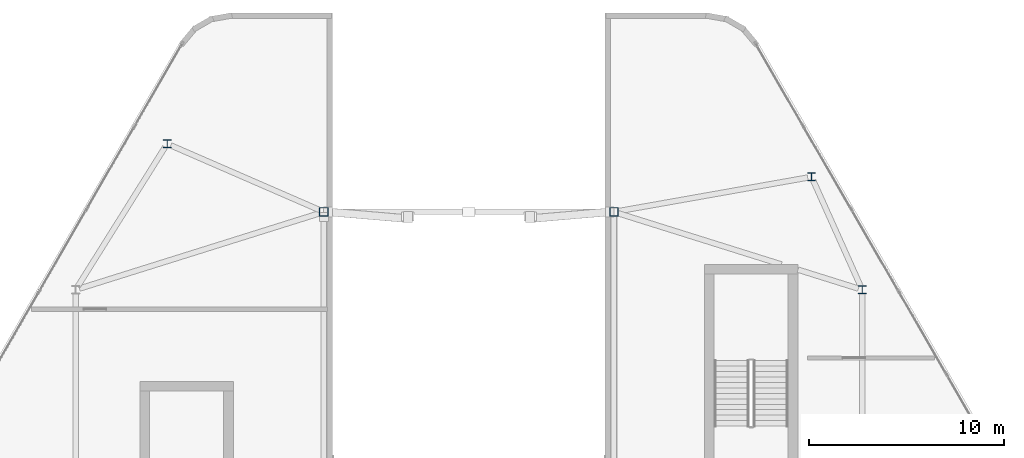
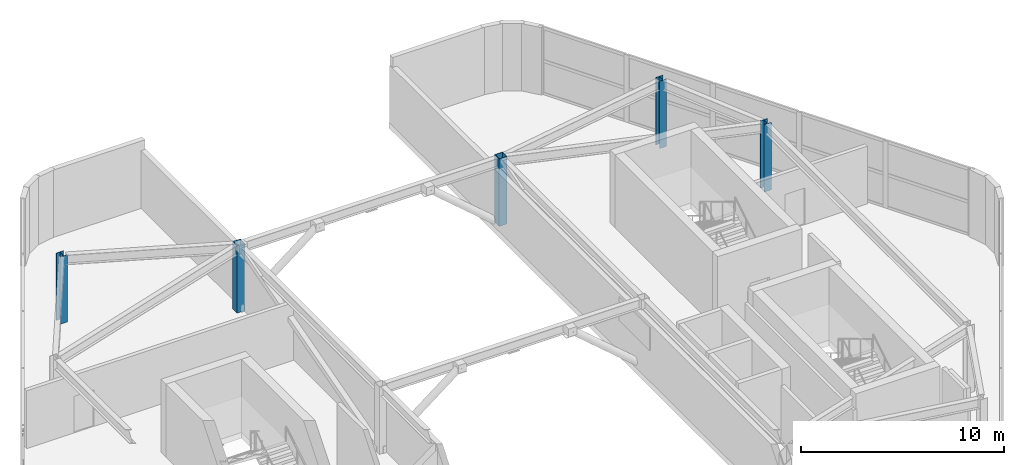
# One storey, part 2 of 16: 5 columns.
"""IFC4 building model written with IfcOpenShell, lengths in metres."""

from ifc_helpers import new_model, si_unit, direction, frame, origin, origin_2d, place, context, subcontext, project, spatial, hollow_rectangle, i_section, extrude, material, material_profile, profile_set, type_object, element, save


model = new_model("IFC4")

# Units and contexts
model_context = context("Model", 3, precision=1e-05, world=origin(), true_north=direction((0.0, 1.0)))
body_context = subcontext(model_context, "Body", "Model", "MODEL_VIEW")
ifc_project = project(units=[si_unit("LENGTHUNIT", "METRE"), si_unit("AREAUNIT", "SQUARE_METRE"), si_unit("VOLUMEUNIT", "CUBIC_METRE"), si_unit("PLANEANGLEUNIT", "RADIAN"), si_unit("MASSUNIT", "GRAM", prefix="KILO")], contexts=[model_context])

# Site, building, storey
site_placement = place(None, origin())
site = spatial("IfcSite", under=ifc_project, at=site_placement, CompositionType="ELEMENT")
building_placement = place(site_placement, origin())
building = spatial("IfcBuilding", under=site, at=building_placement, Name="Zuhravey Tower", CompositionType="ELEMENT")
storey_placement = place(building_placement, frame((0.0, 0.0, 370.199951171875)))
storey = spatial("IfcBuildingStorey", under=building, at=storey_placement, Name="L94", CompositionType="ELEMENT", Elevation=370.199951171875)

# Columns
ifc_material = material(Name="Steel SM355", Category="steel")
ifc_material_profile_1 = material_profile(ifc_material, i_section(OverallWidth=0.39990234375, OverallDepth=0.39990234375, WebThickness=0.012939453125, FlangeThickness=0.02099609375, at=origin_2d()), Name="H-400x400x13x21")
ifc_profile_set_1 = profile_set([ifc_material_profile_1], Name="Steel SM355")
column_type_1 = type_object("IfcColumnType", Name="Crown Crest Column H400x400", PredefinedType="COLUMN", material=ifc_profile_set_1)
for number, where, z_axis, x_axis, name in (
    (1, (20.5, 49.5, 0.0), (0.0, 0.0, 1.0), (1.0, 0.0, 0.0), "L94 West Crest Column WC4"),
    (2, (56.199951171875, 42.0, 0.0), (0.0, 0.0, 1.0), (1.0, 0.0, 0.0), "L94 East Crest Column EC2"),
    (3, (53.60009765625, 47.800048828125, 0.0), (0.0, 0.0, 1.0), (1.0, 0.0, 0.0), "L94 East Crest Column EC4"),
):
    element("IfcColumn", number, at=place(storey_placement, frame(where, z_axis=z_axis, x_axis=x_axis)), inside=storey, type_object=column_type_1, Name=name, PredefinedType="COLUMN", context=body_context, shape_type="SweptSolid", body=[
        extrude(i_section(OverallWidth=0.39990234375, OverallDepth=0.39990234375, WebThickness=0.012939453125, FlangeThickness=0.02099609375, at=origin_2d()), origin(), (0.0, 0.0, 1.0), 4.050048828125),
    ])
ifc_material_profile_2 = material_profile(ifc_material, hollow_rectangle(XDim=0.449951171875, YDim=0.449951171875, WallThickness=0.02197265625, at=origin_2d()), Name="RHS-450x450x22")
ifc_profile_set_2 = profile_set([ifc_material_profile_2], Name="Steel SM355")
column_type_2 = type_object("IfcColumnType", Name="Crown Portal Pilaster RHS450x450", PredefinedType="PILASTER", material=ifc_profile_set_2)
for number, where, z_axis, x_axis, name in (
    (4, (28.550048828125, 46.0, 0.0), (0.0, 0.0, 1.0), (1.0, 0.0, 0.0), "L94 West Crest Column WP3"),
    (5, (43.449951171875, 46.0, 0.0), (0.0, 0.0, 1.0), (1.0, 0.0, 0.0), "L94 East Crest Column EP3"),
):
    element("IfcColumn", number, at=place(storey_placement, frame(where, z_axis=z_axis, x_axis=x_axis)), inside=storey, type_object=column_type_2, Name=name, PredefinedType="PILASTER", context=body_context, shape_type="SweptSolid", body=[
        extrude(hollow_rectangle(XDim=0.449951171875, YDim=0.449951171875, WallThickness=0.02197265625, at=origin_2d()), origin(), (0.0, 0.0, 1.0), 4.050048828125),
    ])

save(model, "model.ifc")
